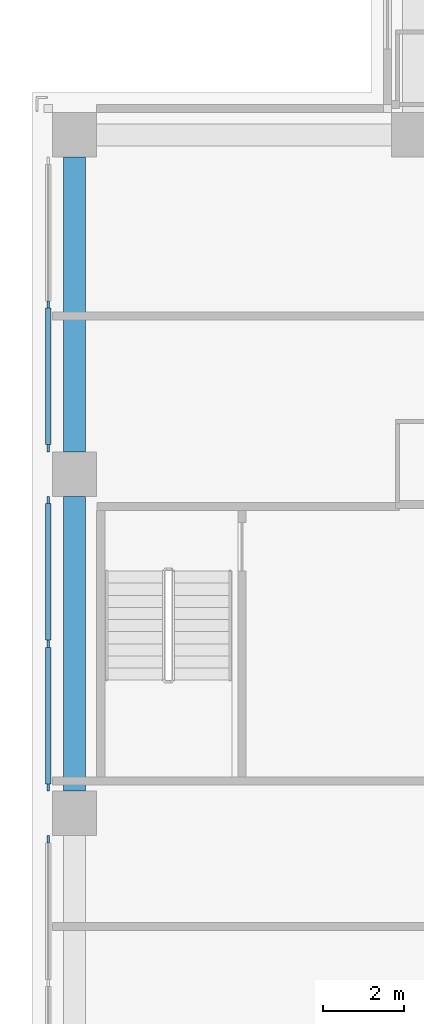
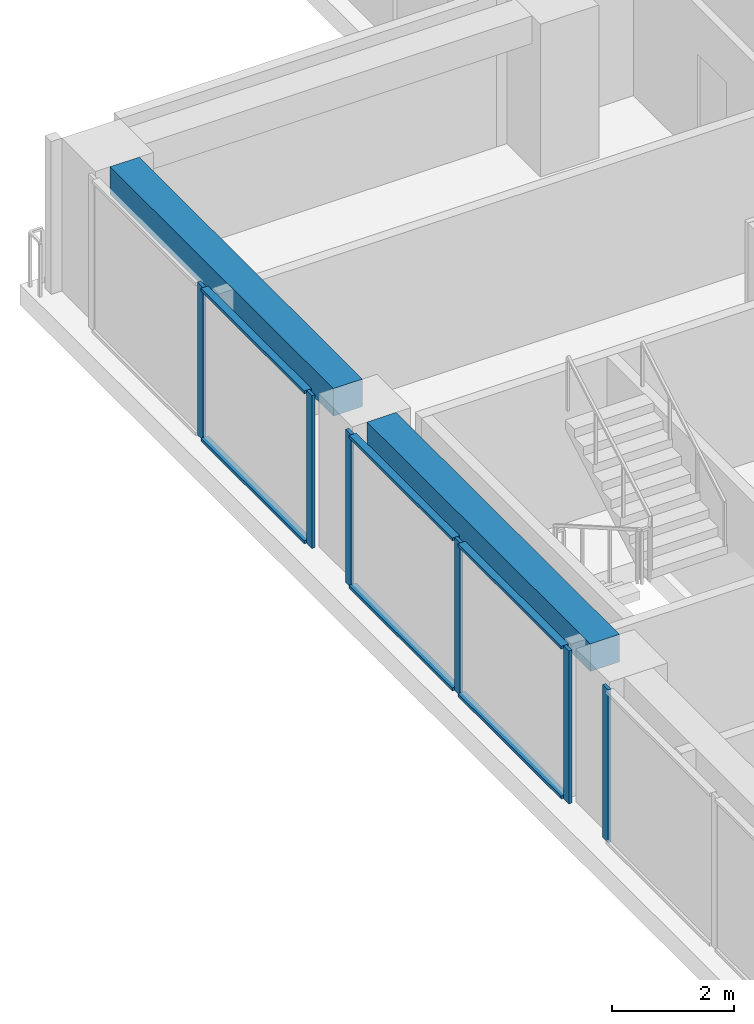
# One storey, part 4 of 16: 12 members, 2 beams, 3 elements without a shape of their own.
"""IFC4 building model written with IfcOpenShell, lengths in metres."""

from ifc_helpers import new_model, si_unit, direction, frame, origin, origin_2d, place, context, subcontext, project, spatial, rectangle, extrude, material, material_profile, profile_set, type_object, element, aggregate, save


model = new_model("IFC4")

# Units and contexts
model_context = context("Model", 3, precision=1e-05, world=origin(), true_north=direction((0.0, 1.0)))
body_context = subcontext(model_context, "Body", "Model", "MODEL_VIEW")
ifc_project = project(units=[si_unit("LENGTHUNIT", "METRE"), si_unit("AREAUNIT", "SQUARE_METRE"), si_unit("VOLUMEUNIT", "CUBIC_METRE"), si_unit("PLANEANGLEUNIT", "RADIAN"), si_unit("MASSUNIT", "GRAM", prefix="KILO")], contexts=[model_context])

# Site, building, storey
site_placement = place(None, origin())
site = spatial("IfcSite", under=ifc_project, at=site_placement, CompositionType="ELEMENT")
building_placement = place(site_placement, origin())
building = spatial("IfcBuilding", under=site, at=building_placement, Name="Vermilion Ogive Tower", CompositionType="ELEMENT")
storey_placement = place(building_placement, frame((0.0, 0.0, 146.89990234375)))
storey = spatial("IfcBuildingStorey", under=building, at=storey_placement, Name="L37", CompositionType="ELEMENT", Elevation=146.89990234375)

# Curtain wall, members
ifc_material_1 = material(Name="Low-iron laminated glazing in aluminium frame", Category="aluminium")
curtain_wall_type = type_object("IfcCurtainWallType", Name="Curtain wall CW7", PredefinedType="NOTDEFINED", material=ifc_material_1)
curtain_wall_1_placement = place(storey_placement, origin())
curtain_wall_1 = element("IfcCurtainWall", 1, at=curtain_wall_1_placement, inside=storey, type_object=curtain_wall_type, Name="Glazed skin W1", PredefinedType="NOTDEFINED")
ifc_material_2 = material(Name="Aluminium mullion", Category="aluminium")
ifc_material_profile_1 = material_profile(ifc_material_2, rectangle(XDim=0.06005859375, YDim=0.179931640625, at=origin_2d()), Name="AL 60x180")
ifc_profile_set_1 = profile_set([ifc_material_profile_1], Name="Aluminium mullion")
member_type_1 = type_object("IfcMemberType", Name="CW7 mullion 60x180", PredefinedType="MULLION", material=ifc_profile_set_1)
member_1_placement = place(storey_placement, frame((-21.64990234375, 8.39990234375, 0.0), z_axis=(0.0, 0.0, 1.0), x_axis=(1.0, 0.0, 0.0)))
member_1 = element("IfcMember", 2, at=member_1_placement, type_object=member_type_1, Name="CW7-W1 mullion 2", PredefinedType="MULLION", context=body_context, shape_type="SweptSolid", body=[
    extrude(rectangle(XDim=0.06005859375, YDim=0.179931640625, at=origin_2d()), origin(), (0.0, 0.0, 1.0), 3.050048828125),
])
member_2_placement = place(storey_placement, frame((-21.64990234375, 4.840087890625, 0.0), z_axis=(0.0, 0.0, 1.0), x_axis=(1.0, 0.0, 0.0)))
member_2 = element("IfcMember", 3, at=member_2_placement, type_object=member_type_1, Name="CW7-W1 mullion 3", PredefinedType="MULLION", context=body_context, shape_type="SweptSolid", body=[
    extrude(rectangle(XDim=0.06005859375, YDim=0.179931640625, at=origin_2d()), origin(), (0.0, 0.0, 1.0), 3.050048828125),
])

curtain_wall_2_placement = place(storey_placement, origin())
curtain_wall_2 = element("IfcCurtainWall", 4, at=curtain_wall_2_placement, inside=storey, type_object=curtain_wall_type, Name="Glazed skin W2", PredefinedType="NOTDEFINED")
member_3_placement = place(storey_placement, frame((-21.64990234375, 3.56005859375, 0.0), z_axis=(0.0, 0.0, 1.0), x_axis=(1.0, 0.0, 0.0)))
member_3 = element("IfcMember", 5, at=member_3_placement, type_object=member_type_1, Name="CW7-W2 mullion 1", PredefinedType="MULLION", context=body_context, shape_type="SweptSolid", body=[
    extrude(rectangle(XDim=0.06005859375, YDim=0.179931640625, at=origin_2d()), origin(), (0.0, 0.0, 1.0), 3.050048828125),
])
member_4_placement = place(storey_placement, frame((-21.64990234375, 0.0, 0.0), z_axis=(0.0, 0.0, 1.0), x_axis=(1.0, 0.0, 0.0)))
member_4 = element("IfcMember", 6, at=member_4_placement, type_object=member_type_1, Name="CW7-W2 mullion 2", PredefinedType="MULLION", context=body_context, shape_type="SweptSolid", body=[
    extrude(rectangle(XDim=0.06005859375, YDim=0.179931640625, at=origin_2d()), origin(), (0.0, 0.0, 1.0), 3.050048828125),
])
member_5_placement = place(storey_placement, frame((-21.64990234375, -3.56005859375, 0.0), z_axis=(0.0, 0.0, 1.0), x_axis=(1.0, 0.0, 0.0)))
member_5 = element("IfcMember", 7, at=member_5_placement, type_object=member_type_1, Name="CW7-W2 mullion 3", PredefinedType="MULLION", context=body_context, shape_type="SweptSolid", body=[
    extrude(rectangle(XDim=0.06005859375, YDim=0.179931640625, at=origin_2d()), origin(), (0.0, 0.0, 1.0), 3.050048828125),
])

# Curtain wall, member
curtain_wall_3_placement = place(storey_placement, origin())
curtain_wall_3 = element("IfcCurtainWall", 8, at=curtain_wall_3_placement, inside=storey, type_object=curtain_wall_type, Name="Glazed skin W3", PredefinedType="NOTDEFINED")
member_6_placement = place(storey_placement, frame((-21.64990234375, -4.840087890625, 0.0), z_axis=(0.0, 0.0, 1.0), x_axis=(1.0, 0.0, 0.0)))
member_6 = element("IfcMember", 9, at=member_6_placement, type_object=member_type_1, Name="CW7-W3 mullion 1", PredefinedType="MULLION", context=body_context, shape_type="SweptSolid", body=[
    extrude(rectangle(XDim=0.06005859375, YDim=0.179931640625, at=origin_2d()), origin(), (0.0, 0.0, 1.0), 3.050048828125),
])
aggregate(curtain_wall_3, [member_6])

# Member
ifc_material_3 = material(Name="Aluminium transom", Category="aluminium")
ifc_material_profile_2 = material_profile(ifc_material_3, rectangle(XDim=0.139892578125, YDim=0.06005859375, at=origin_2d()), Name="AL 60x140")
ifc_profile_set_2 = profile_set([ifc_material_profile_2], Name="Aluminium transom")
member_type_2 = type_object("IfcMemberType", Name="CW7 transom 60x140", PredefinedType="USERDEFINED", material=ifc_profile_set_2)
member_7_placement = place(storey_placement, frame((-21.64990234375, 8.31005859375, 0.030029296875), z_axis=(0.0, -1.0, 0.0), x_axis=(1.0, 0.0, 0.0)))
member_7 = element("IfcMember", 10, at=member_7_placement, type_object=member_type_2, Name="CW7-W1 transom 2.1", ObjectType="TRANSOM", PredefinedType="USERDEFINED", context=body_context, shape_type="SweptSolid", body=[
    extrude(rectangle(XDim=0.139892578125, YDim=0.06005859375, at=origin_2d()), origin(), (0.0, 0.0, 1.0), 3.380126953125),
])

member_8_placement = place(storey_placement, frame((-21.64990234375, 8.31005859375, 3.02001953125), z_axis=(0.0, -1.0, 0.0), x_axis=(1.0, 0.0, 0.0)))
member_8 = element("IfcMember", 11, at=member_8_placement, type_object=member_type_2, Name="CW7-W1 transom 2.2", ObjectType="TRANSOM", PredefinedType="USERDEFINED", context=body_context, shape_type="SweptSolid", body=[
    extrude(rectangle(XDim=0.139892578125, YDim=0.06005859375, at=origin_2d()), origin(), (0.0, 0.0, 1.0), 3.380126953125),
])

aggregate(curtain_wall_1, [member_1, member_2, member_7, member_8])

member_9_placement = place(storey_placement, frame((-21.64990234375, 3.469970703125, 0.030029296875), z_axis=(0.0, -1.0, 0.0), x_axis=(1.0, 0.0, 0.0)))
member_9 = element("IfcMember", 12, at=member_9_placement, type_object=member_type_2, Name="CW7-W2 transom 1.1", ObjectType="TRANSOM", PredefinedType="USERDEFINED", context=body_context, shape_type="SweptSolid", body=[
    extrude(rectangle(XDim=0.139892578125, YDim=0.06005859375, at=origin_2d()), origin(), (0.0, 0.0, 1.0), 3.3798828125),
])

member_10_placement = place(storey_placement, frame((-21.64990234375, 3.469970703125, 3.02001953125), z_axis=(0.0, -1.0, 0.0), x_axis=(1.0, 0.0, 0.0)))
member_10 = element("IfcMember", 13, at=member_10_placement, type_object=member_type_2, Name="CW7-W2 transom 1.2", ObjectType="TRANSOM", PredefinedType="USERDEFINED", context=body_context, shape_type="SweptSolid", body=[
    extrude(rectangle(XDim=0.139892578125, YDim=0.06005859375, at=origin_2d()), origin(), (0.0, 0.0, 1.0), 3.3798828125),
])

member_11_placement = place(storey_placement, frame((-21.64990234375, -0.090087890625, 0.030029296875), z_axis=(0.0, -1.0, 0.0), x_axis=(1.0, 0.0, 0.0)))
member_11 = element("IfcMember", 14, at=member_11_placement, type_object=member_type_2, Name="CW7-W2 transom 2.1", ObjectType="TRANSOM", PredefinedType="USERDEFINED", context=body_context, shape_type="SweptSolid", body=[
    extrude(rectangle(XDim=0.139892578125, YDim=0.06005859375, at=origin_2d()), origin(), (0.0, 0.0, 1.0), 3.3798828125),
])

member_12_placement = place(storey_placement, frame((-21.64990234375, -0.090087890625, 3.02001953125), z_axis=(0.0, -1.0, 0.0), x_axis=(1.0, 0.0, 0.0)))
member_12 = element("IfcMember", 15, at=member_12_placement, type_object=member_type_2, Name="CW7-W2 transom 2.2", ObjectType="TRANSOM", PredefinedType="USERDEFINED", context=body_context, shape_type="SweptSolid", body=[
    extrude(rectangle(XDim=0.139892578125, YDim=0.06005859375, at=origin_2d()), origin(), (0.0, 0.0, 1.0), 3.3798828125),
])

aggregate(curtain_wall_2, [member_3, member_4, member_5, member_9, member_10, member_11, member_12])

# Beams
ifc_material_4 = material(Name="Concrete B45", Category="concrete")
ifc_material_profile_3 = material_profile(ifc_material_4, rectangle(XDim=0.550048828125, YDim=0.550048828125, at=origin_2d()), Name="550 x 550")
ifc_profile_set_3 = profile_set([ifc_material_profile_3], Name="Concrete B45")
beam_type = type_object("IfcBeamType", Name="Edge beam 550 x 550 B45", PredefinedType="BEAM", material=ifc_profile_set_3)
beam_1_placement = place(storey_placement, frame((-21.0, 12.050048828125, 2.775146484375), z_axis=(0.0, -1.0, 0.0), x_axis=(1.0, 0.0, 0.0)))
element("IfcBeam", 16, at=beam_1_placement, inside=storey, type_object=beam_type, Name="L37-EB-13", PredefinedType="BEAM", context=body_context, shape_type="SweptSolid", body=[
    extrude(rectangle(XDim=0.550048828125, YDim=0.550048828125, at=origin_2d()), origin(), (0.0, 0.0, 1.0), 7.300048828125),
])
beam_2_placement = place(storey_placement, frame((-21.0, 3.64990234375, 2.775146484375), z_axis=(0.0, -1.0, 0.0), x_axis=(1.0, 0.0, 0.0)))
element("IfcBeam", 17, at=beam_2_placement, inside=storey, type_object=beam_type, Name="L37-EB-14", PredefinedType="BEAM", context=body_context, shape_type="SweptSolid", body=[
    extrude(rectangle(XDim=0.550048828125, YDim=0.550048828125, at=origin_2d()), origin(), (0.0, 0.0, 1.0), 7.2998046875),
])

save(model, "model.ifc")
